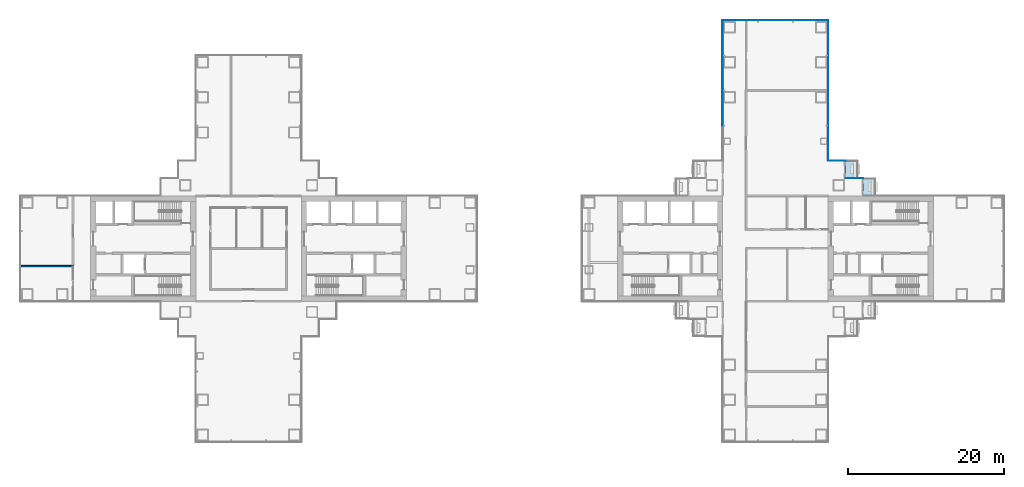
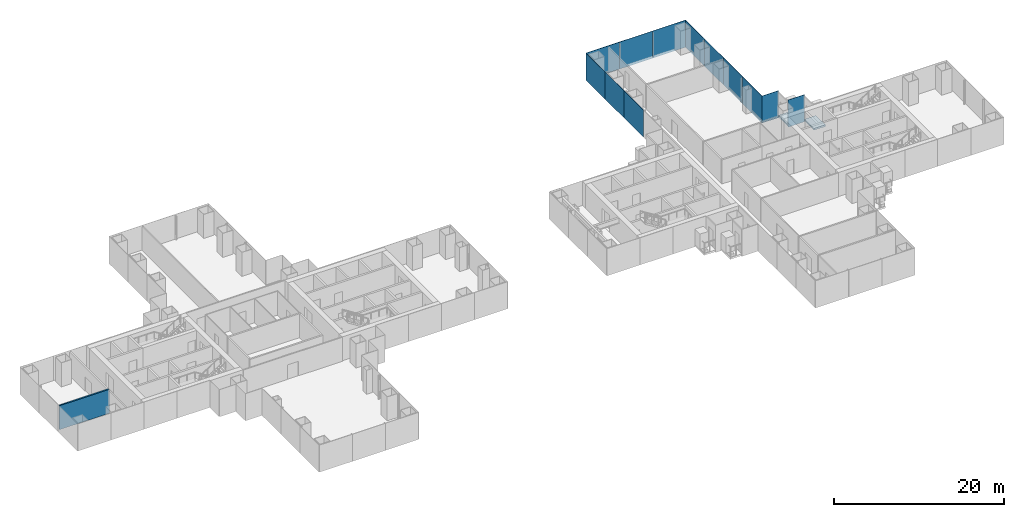
# One storey, part 13 of 22: 12 plates, 2 slabs, 1 wall, 4 elements without a shape of their own.
"""IFC4 building model written with IfcOpenShell, lengths in metres."""

from ifc_helpers import new_model, si_unit, direction, frame, frame_2d, origin, origin_2d, place, context, subcontext, project, spatial, polyline, rectangle, outline, extrude, material, layer, layer_set, type_object, element, aggregate, save


model = new_model("IFC4")

# Units and contexts
model_context = context("Model", 3, precision=1e-05, world=origin(), true_north=direction((0.0, 1.0)))
body_context = subcontext(model_context, "Body", "Model", "MODEL_VIEW")
ifc_project = project(units=[si_unit("LENGTHUNIT", "METRE"), si_unit("AREAUNIT", "SQUARE_METRE"), si_unit("VOLUMEUNIT", "CUBIC_METRE"), si_unit("PLANEANGLEUNIT", "RADIAN"), si_unit("MASSUNIT", "GRAM", prefix="KILO")], contexts=[model_context])

# Site, building, storey
site_placement = place(None, origin())
site = spatial("IfcSite", under=ifc_project, at=site_placement, CompositionType="ELEMENT")
building_placement = place(site_placement, origin())
building = spatial("IfcBuilding", under=site, at=building_placement, Name="Shamsa Quay Exchange Towers", CompositionType="ELEMENT")
storey_placement = place(building_placement, frame((0.0, 0.0, 73.199951171875)))
storey = spatial("IfcBuildingStorey", under=building, at=storey_placement, Name="L16", CompositionType="ELEMENT", Elevation=73.199951171875)

# Slabs
ifc_material_1 = material(Name="Precast concrete C40/50", Category="concrete")
ifc_layer_1 = layer(ifc_material_1, 0.25)
ifc_layer_set_1 = layer_set([ifc_layer_1], Name="BALCONY SLAB 250")
slab_type = type_object("IfcSlabType", Name="BALCONY SLAB 250", PredefinedType="FLOOR", material=ifc_layer_set_1)
slab_1_placement = place(storey_placement, frame((0.0, 0.0, -0.25)))
element("IfcSlab", 1, at=slab_1_placement, inside=storey, type_object=slab_type, Name="Balcony T2-PKES L16", PredefinedType="FLOOR", context=body_context, shape_type="SweptSolid", body=[
    extrude(outline(polyline([(42.75, 9.0380859375), (42.75, 11.25), (44.300048828125, 11.25), (44.300048828125, 9.0380859375), (42.75, 9.0380859375)])), origin(), (0.0, 0.0, 1.0), 0.25),
])
slab_2_placement = place(storey_placement, frame((0.0, 0.0, -0.25)))
element("IfcSlab", 2, at=slab_2_placement, inside=storey, type_object=slab_type, Name="Balcony T2-PKES L16", PredefinedType="FLOOR", context=body_context, shape_type="SweptSolid", body=[
    extrude(outline(polyline([(45.0, 6.7880859375), (45.0, 9.0), (46.550048828125, 9.0), (46.550048828125, 6.7880859375), (45.0, 6.7880859375)])), origin(), (0.0, 0.0, 1.0), 0.25),
])

# Curtain wall, plates
ifc_material_2 = material(Name="Aluminium EN AW-6063 T6, black anodised", Category="aluminium")
ifc_layer_2 = layer(ifc_material_2, 0.280029296875)
ifc_layer_set_2 = layer_set([ifc_layer_2], Name="CW-1 UNITISED VISION GLASS")
curtain_wall_type_1 = type_object("IfcCurtainWallType", Name="CW-1 UNITISED VISION GLASS", PredefinedType="NOTDEFINED", material=ifc_layer_set_2)
curtain_wall_1_placement = place(storey_placement, origin())
curtain_wall_1 = element("IfcCurtainWall", 3, at=curtain_wall_1_placement, inside=storey, type_object=curtain_wall_type_1, Name="CW1 T2-FLK-U+S L16", PredefinedType="NOTDEFINED")
ifc_material_3 = material(Name="Glass, laminated, dark tinted", Category="glass")
ifc_layer_3 = layer(ifc_material_3, 0.0400390625)
ifc_layer_set_3 = layer_set([ifc_layer_3], Name="CW-1 VISION GLASS 40")
plate_type_1 = type_object("IfcPlateType", Name="CW-1 VISION GLASS 40", PredefinedType="CURTAIN_PANEL", material=ifc_layer_set_3)
plate_1_placement = place(storey_placement, frame((40.52001953125, 13.53076171875, -0.349853515625), z_axis=(0.0, 0.0, 1.0), x_axis=(0.0, 1.0, 0.0)))
plate_1 = element("IfcPlate", 4, at=plate_1_placement, type_object=plate_type_1, Name="CW1 glass panel", PredefinedType="CURTAIN_PANEL", context=body_context, shape_type="SweptSolid", body=[
    extrude(rectangle(XDim=4.485595703125, YDim=0.0400390625, at=origin_2d()), origin(), (0.0, 0.0, 1.0), 3.89990234375),
])
plate_2_placement = place(storey_placement, frame((40.52001953125, 18.023681640625, -0.349853515625), z_axis=(0.0, 0.0, 1.0), x_axis=(0.0, 1.0, 0.0)))
plate_2 = element("IfcPlate", 5, at=plate_2_placement, type_object=plate_type_1, Name="CW1 glass panel", PredefinedType="CURTAIN_PANEL", context=body_context, shape_type="SweptSolid", body=[
    extrude(rectangle(XDim=4.48046875, YDim=0.0400390625, at=origin_2d()), origin(), (0.0, 0.0, 1.0), 3.89990234375),
])
plate_3_placement = place(storey_placement, frame((40.52001953125, 22.51416015625, -0.349853515625), z_axis=(0.0, 0.0, 1.0), x_axis=(0.0, 1.0, 0.0)))
plate_3 = element("IfcPlate", 6, at=plate_3_placement, type_object=plate_type_1, Name="CW1 glass panel", PredefinedType="CURTAIN_PANEL", context=body_context, shape_type="SweptSolid", body=[
    extrude(rectangle(XDim=4.48046875, YDim=0.0400390625, at=origin_2d()), origin(), (0.0, 0.0, 1.0), 3.89990234375),
])
plate_4_placement = place(storey_placement, frame((40.52001953125, 27.00732421875, -0.349853515625), z_axis=(0.0, 0.0, 1.0), x_axis=(0.0, 1.0, 0.0)))
plate_4 = element("IfcPlate", 7, at=plate_4_placement, type_object=plate_type_1, Name="CW1 glass panel", PredefinedType="CURTAIN_PANEL", context=body_context, shape_type="SweptSolid", body=[
    extrude(rectangle(XDim=4.485595703125, YDim=0.0400390625, at=origin_2d()), origin(), (0.0, 0.0, 1.0), 3.89990234375),
])
aggregate(curtain_wall_1, [plate_1, plate_2, plate_3, plate_4])

curtain_wall_2_placement = place(storey_placement, origin())
curtain_wall_2 = element("IfcCurtainWall", 8, at=curtain_wall_2_placement, inside=storey, type_object=curtain_wall_type_1, Name="CW1 T2-END-U+ L16", PredefinedType="NOTDEFINED")
plate_5_placement = place(storey_placement, frame((38.25244140625, 29.27001953125, -0.349853515625), z_axis=(0.0, 0.0, 1.0), x_axis=(-1.0, 0.0, 0.0)))
plate_5 = element("IfcPlate", 9, at=plate_5_placement, type_object=plate_type_1, Name="CW1 glass panel", PredefinedType="CURTAIN_PANEL", context=body_context, shape_type="SweptSolid", body=[
    extrude(rectangle(XDim=4.4951171875, YDim=0.0400390625, at=origin_2d()), origin(), (0.0, 0.0, 1.0), 3.89990234375),
])
plate_6_placement = place(storey_placement, frame((33.75, 29.27001953125, -0.349853515625), z_axis=(0.0, 0.0, 1.0), x_axis=(-1.0, 0.0, 0.0)))
plate_6 = element("IfcPlate", 10, at=plate_6_placement, type_object=plate_type_1, Name="CW1 glass panel", PredefinedType="CURTAIN_PANEL", context=body_context, shape_type="SweptSolid", body=[
    extrude(rectangle(XDim=4.489990234375, YDim=0.0400390625, at=origin_2d()), origin(), (0.0, 0.0, 1.0), 3.89990234375),
])
plate_7_placement = place(storey_placement, frame((29.24755859375, 29.27001953125, -0.349853515625), z_axis=(0.0, 0.0, 1.0), x_axis=(-1.0, 0.0, 0.0)))
plate_7 = element("IfcPlate", 11, at=plate_7_placement, type_object=plate_type_1, Name="CW1 glass panel", PredefinedType="CURTAIN_PANEL", context=body_context, shape_type="SweptSolid", body=[
    extrude(rectangle(XDim=4.4951171875, YDim=0.0400390625, at=origin_2d()), origin(), (0.0, 0.0, 1.0), 3.89990234375),
])
aggregate(curtain_wall_2, [plate_5, plate_6, plate_7])

curtain_wall_3_placement = place(storey_placement, origin())
curtain_wall_3 = element("IfcCurtainWall", 12, at=curtain_wall_3_placement, inside=storey, type_object=curtain_wall_type_1, Name="CW1 T2-FLK-U+N L16", PredefinedType="NOTDEFINED")
plate_8_placement = place(storey_placement, frame((26.97998046875, 27.00244140625, -0.349853515625), z_axis=(0.0, 0.0, 1.0), x_axis=(0.0, -1.0, 0.0)))
plate_8 = element("IfcPlate", 13, at=plate_8_placement, type_object=plate_type_1, Name="CW1 glass panel", PredefinedType="CURTAIN_PANEL", context=body_context, shape_type="SweptSolid", body=[
    extrude(rectangle(XDim=4.4951171875, YDim=0.0400390625, at=origin_2d()), origin(), (0.0, 0.0, 1.0), 3.89990234375),
])
plate_9_placement = place(storey_placement, frame((26.97998046875, 22.5, -0.349853515625), z_axis=(0.0, 0.0, 1.0), x_axis=(0.0, -1.0, 0.0)))
plate_9 = element("IfcPlate", 14, at=plate_9_placement, type_object=plate_type_1, Name="CW1 glass panel", PredefinedType="CURTAIN_PANEL", context=body_context, shape_type="SweptSolid", body=[
    extrude(rectangle(XDim=4.489990234375, YDim=0.0400390625, at=origin_2d()), origin(), (0.0, 0.0, 1.0), 3.89990234375),
])
plate_10_placement = place(storey_placement, frame((26.97998046875, 18.0, -0.349853515625), z_axis=(0.0, 0.0, 1.0), x_axis=(0.0, -1.0, 0.0)))
plate_10 = element("IfcPlate", 15, at=plate_10_placement, type_object=plate_type_1, Name="CW1 glass panel", PredefinedType="CURTAIN_PANEL", context=body_context, shape_type="SweptSolid", body=[
    extrude(rectangle(XDim=4.489990234375, YDim=0.0400390625, at=origin_2d()), origin(), (0.0, 0.0, 1.0), 3.89990234375),
])
aggregate(curtain_wall_3, [plate_8, plate_9, plate_10])

ifc_layer_4 = layer(ifc_material_2, 0.256103515625)
ifc_layer_set_4 = layer_set([ifc_layer_4], Name="CW-4 POCKET SERRATED GLAZING")
curtain_wall_type_2 = type_object("IfcCurtainWallType", Name="CW-4 POCKET SERRATED GLAZING", PredefinedType="NOTDEFINED", material=ifc_layer_set_4)
curtain_wall_4_placement = place(storey_placement, origin())
curtain_wall_4 = element("IfcCurtainWall", 16, at=curtain_wall_4_placement, inside=storey, type_object=curtain_wall_type_2, Name="CW4 PKES L16", PredefinedType="NOTDEFINED")
ifc_layer_5 = layer(ifc_material_3, 0.035888671875)
ifc_layer_set_5 = layer_set([ifc_layer_5], Name="CW-4 POCKET GLASS 36")
plate_type_2 = type_object("IfcPlateType", Name="CW-4 POCKET GLASS 36", PredefinedType="CURTAIN_PANEL", material=ifc_layer_set_5)
plate_11_placement = place(storey_placement, frame((43.875, 9.01806640625, -0.349853515625), z_axis=(0.0, 0.0, 1.0), x_axis=(-1.0, 0.0, 0.0)))
plate_11 = element("IfcPlate", 17, at=plate_11_placement, type_object=plate_type_2, Name="CW4 glass panel", PredefinedType="CURTAIN_PANEL", context=body_context, shape_type="SweptSolid", body=[
    extrude(rectangle(XDim=2.25, YDim=0.035888671875, at=origin_2d()), origin(), (0.0, 0.0, 1.0), 3.89990234375),
])
plate_12_placement = place(storey_placement, frame((41.625, 11.26806640625, -0.349853515625), z_axis=(0.0, 0.0, 1.0), x_axis=(-1.0, 0.0, 0.0)))
plate_12 = element("IfcPlate", 18, at=plate_12_placement, type_object=plate_type_2, Name="CW4 glass panel", PredefinedType="CURTAIN_PANEL", context=body_context, shape_type="SweptSolid", body=[
    extrude(rectangle(XDim=2.25, YDim=0.035888671875, at=origin_2d()), origin(), (0.0, 0.0, 1.0), 3.89990234375),
])
aggregate(curtain_wall_4, [plate_11, plate_12])

# Wall
ifc_material_4 = material(Name="Gypsum board partition on metal studs")
ifc_layer_6 = layer(ifc_material_4, 0.199951171875)
ifc_layer_set_6 = layer_set([ifc_layer_6], Name="Partition 200 mm EI 90")
wall_type = type_object("IfcWallType", Name="Partition 200 mm EI 90", PredefinedType="PARTITIONING", material=ifc_layer_set_6)
wall_placement = place(storey_placement, frame((-56.14990234375, -2.25, 0.0), z_axis=(0.0, 0.0, 1.0), x_axis=(-1.0, 0.0, 0.0)))
element("IfcWall", 19, at=wall_placement, inside=storey, type_object=wall_type, Name="Partition T1-R07-W15", PredefinedType="PARTITIONING", context=body_context, shape_type="SweptSolid", body=[
    extrude(rectangle(XDim=6.755126953125, YDim=0.199951171875, at=frame_2d((3.37744140625, 0.0))), origin(), (0.0, 0.0, 1.0), 3.449951171875),
])

save(model, "model.ifc")
